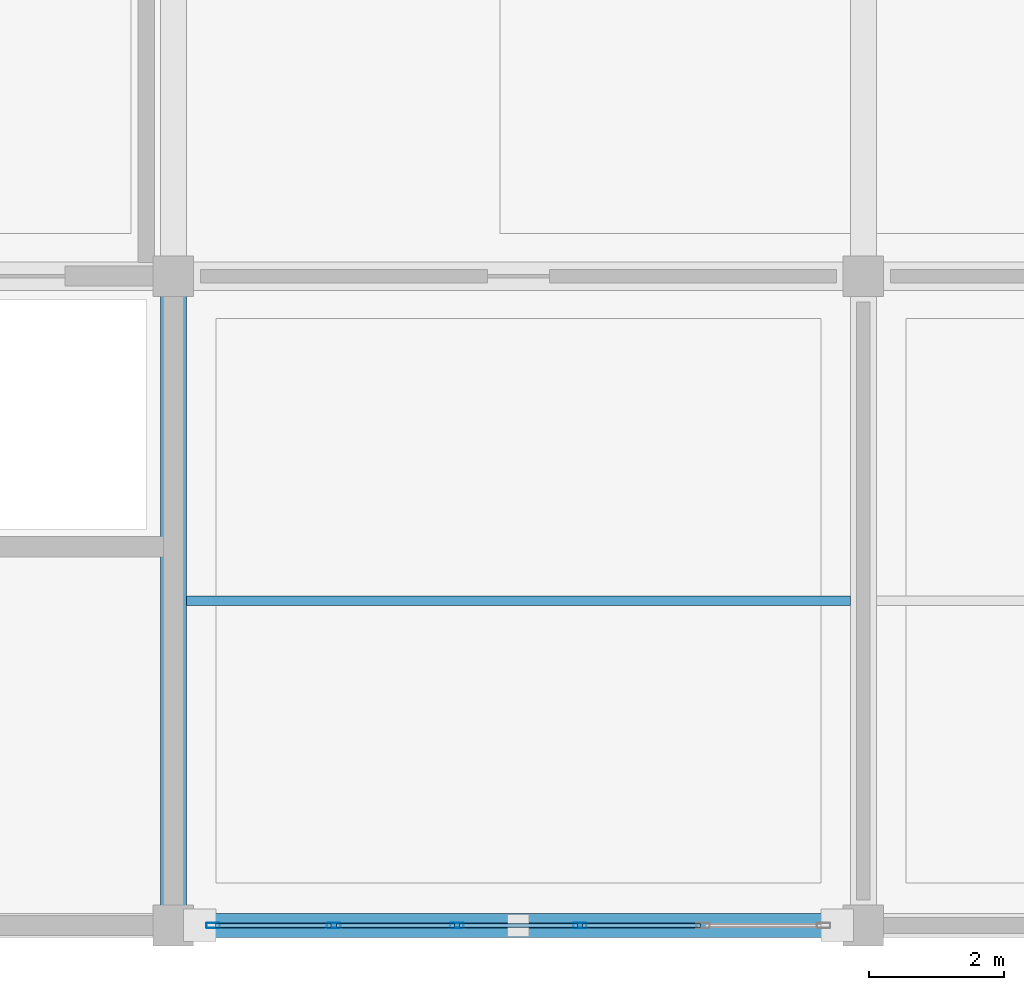
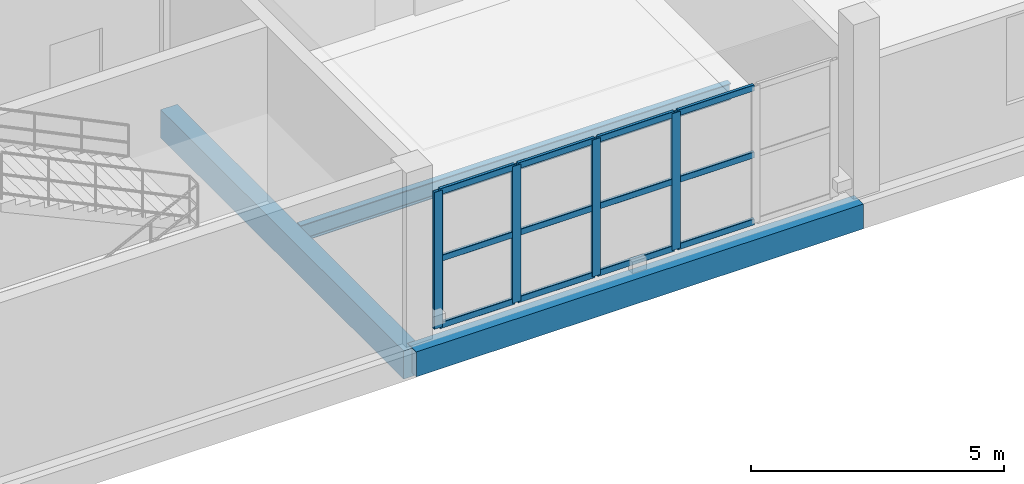
# One storey, part 6 of 24: 16 members, 3 beams, 1 element without a shape of its own.
"""IFC4 building model written with IfcOpenShell, lengths in metres."""

from ifc_helpers import new_model, si_unit, direction, frame, origin, origin_2d, place, context, subcontext, project, spatial, rectangle, hollow_rectangle, i_section, extrude, material, material_profile, profile_set, type_object, element, aggregate, save


model = new_model("IFC4")

# Units and contexts
model_context = context("Model", 3, precision=1e-05, world=origin(), true_north=direction((0.0, 1.0)))
body_context = subcontext(model_context, "Body", "Model", "MODEL_VIEW")
ifc_project = project(units=[si_unit("LENGTHUNIT", "METRE"), si_unit("AREAUNIT", "SQUARE_METRE"), si_unit("VOLUMEUNIT", "CUBIC_METRE"), si_unit("PLANEANGLEUNIT", "RADIAN"), si_unit("MASSUNIT", "GRAM", prefix="KILO")], contexts=[model_context])

# Site, building, storey
site_placement = place(None, origin())
site = spatial("IfcSite", under=ifc_project, at=site_placement, CompositionType="ELEMENT")
building_placement = place(site_placement, origin())
building = spatial("IfcBuilding", under=site, at=building_placement, Name="Brelvane Convention Centre", CompositionType="ELEMENT")
storey_placement = place(building_placement, frame((0.0, 0.0, 19.199951171875)))
storey = spatial("IfcBuildingStorey", under=building, at=storey_placement, Name="L04", CompositionType="ELEMENT", Elevation=19.199951171875)

# Curtain wall, members
ifc_material_1 = material(Name="Anodised Aluminium Alloy 6063-T6", Category="aluminium")
curtain_wall_type = type_object("IfcCurtainWallType", Name="Curtain Wall CW-COURT", PredefinedType="USERDEFINED", material=ifc_material_1)
curtain_wall_placement = place(storey_placement, origin())
curtain_wall = element("IfcCurtainWall", 1, at=curtain_wall_placement, inside=storey, type_object=curtain_wall_type, Name="Curtain Wall CW-COURT L04-V4S-05", ObjectType="UNITISED", PredefinedType="USERDEFINED")
ifc_material_2 = material(Name="Anodised Aluminium Alloy 6063-T6", Category="aluminium")
ifc_material_profile_1 = material_profile(ifc_material_2, hollow_rectangle(XDim=0.074951171875, YDim=0.199951171875, WallThickness=0.0048828125, InnerFilletRadius=0.0048828125, OuterFilletRadius=0.010009765625, at=origin_2d()), Name="ALU-M 200x75x5.0")
ifc_profile_set_1 = profile_set([ifc_material_profile_1], Name="Anodised Aluminium Alloy 6063-T6")
member_type_1 = type_object("IfcMemberType", Name="Curtain Mullion CW-M2", PredefinedType="MULLION", material=ifc_profile_set_1)
member_1_placement = place(storey_placement, frame((41.387451171875, 109.199951171875, 0.0), z_axis=(0.0, 0.0, 1.0), x_axis=(0.0, 1.0, 0.0)))
member_1 = element("IfcMember", 2, at=member_1_placement, type_object=member_type_1, Name="CW-COURT mullion 1", PredefinedType="MULLION", context=body_context, shape_type="SweptSolid", body=[
    extrude(hollow_rectangle(XDim=0.074951171875, YDim=0.199951171875, WallThickness=0.0048828125, InnerFilletRadius=0.0048828125, OuterFilletRadius=0.010009765625, at=origin_2d()), origin(), (0.0, 0.0, 1.0), 3.300048828125),
])
member_2_placement = place(storey_placement, frame((43.169921875, 109.199951171875, 0.0), z_axis=(0.0, 0.0, 1.0), x_axis=(0.0, 1.0, 0.0)))
member_2 = element("IfcMember", 3, at=member_2_placement, type_object=member_type_1, Name="CW-COURT mullion 2", PredefinedType="MULLION", context=body_context, shape_type="SweptSolid", body=[
    extrude(hollow_rectangle(XDim=0.074951171875, YDim=0.199951171875, WallThickness=0.0048828125, InnerFilletRadius=0.0048828125, OuterFilletRadius=0.010009765625, at=origin_2d()), origin(), (0.0, 0.0, 1.0), 3.300048828125),
])
member_3_placement = place(storey_placement, frame((44.989990234375, 109.199951171875, 0.0), z_axis=(0.0, 0.0, 1.0), x_axis=(0.0, 1.0, 0.0)))
member_3 = element("IfcMember", 4, at=member_3_placement, type_object=member_type_1, Name="CW-COURT mullion 3", PredefinedType="MULLION", context=body_context, shape_type="SweptSolid", body=[
    extrude(hollow_rectangle(XDim=0.074951171875, YDim=0.199951171875, WallThickness=0.0048828125, InnerFilletRadius=0.0048828125, OuterFilletRadius=0.010009765625, at=origin_2d()), origin(), (0.0, 0.0, 1.0), 3.300048828125),
])
member_4_placement = place(storey_placement, frame((46.81005859375, 109.199951171875, 0.0), z_axis=(0.0, 0.0, 1.0), x_axis=(0.0, 1.0, 0.0)))
member_4 = element("IfcMember", 5, at=member_4_placement, type_object=member_type_1, Name="CW-COURT mullion 4", PredefinedType="MULLION", context=body_context, shape_type="SweptSolid", body=[
    extrude(hollow_rectangle(XDim=0.074951171875, YDim=0.199951171875, WallThickness=0.0048828125, InnerFilletRadius=0.0048828125, OuterFilletRadius=0.010009765625, at=origin_2d()), origin(), (0.0, 0.0, 1.0), 3.300048828125),
])
ifc_material_3 = material(Name="Anodised Aluminium Alloy 6063-T6", Category="aluminium")
ifc_material_profile_2 = material_profile(ifc_material_3, hollow_rectangle(XDim=0.070068359375, YDim=0.14990234375, WallThickness=0.00439453125, InnerFilletRadius=0.00439453125, OuterFilletRadius=0.009033203125, at=origin_2d()), Name="ALU-T 150x70x4.5")
ifc_profile_set_2 = profile_set([ifc_material_profile_2], Name="Anodised Aluminium Alloy 6063-T6")
member_type_2 = type_object("IfcMemberType", Name="Curtain Transom CW-T2", PredefinedType="USERDEFINED", material=ifc_profile_set_2)
member_5_placement = place(storey_placement, frame((41.425048828125, 109.199951171875, 0.03515625), z_axis=(1.0, 0.0, 0.0), x_axis=(0.0, 1.0, 0.0)))
member_5 = element("IfcMember", 6, at=member_5_placement, type_object=member_type_2, Name="CW-COURT transom 1.1", ObjectType="TRANSOM", PredefinedType="USERDEFINED", context=body_context, shape_type="SweptSolid", body=[
    extrude(hollow_rectangle(XDim=0.070068359375, YDim=0.14990234375, WallThickness=0.00439453125, InnerFilletRadius=0.00439453125, OuterFilletRadius=0.009033203125, at=origin_2d()), origin(), (0.0, 0.0, 1.0), 1.70751953125),
])
member_6_placement = place(storey_placement, frame((41.425048828125, 109.199951171875, 1.650146484375), z_axis=(1.0, 0.0, 0.0), x_axis=(0.0, 1.0, 0.0)))
member_6 = element("IfcMember", 7, at=member_6_placement, type_object=member_type_2, Name="CW-COURT transom 1.2", ObjectType="TRANSOM", PredefinedType="USERDEFINED", context=body_context, shape_type="SweptSolid", body=[
    extrude(hollow_rectangle(XDim=0.070068359375, YDim=0.14990234375, WallThickness=0.00439453125, InnerFilletRadius=0.00439453125, OuterFilletRadius=0.009033203125, at=origin_2d()), origin(), (0.0, 0.0, 1.0), 1.70751953125),
])
member_7_placement = place(storey_placement, frame((41.425048828125, 109.199951171875, 3.26513671875), z_axis=(1.0, 0.0, 0.0), x_axis=(0.0, 1.0, 0.0)))
member_7 = element("IfcMember", 8, at=member_7_placement, type_object=member_type_2, Name="CW-COURT transom 1.3", ObjectType="TRANSOM", PredefinedType="USERDEFINED", context=body_context, shape_type="SweptSolid", body=[
    extrude(hollow_rectangle(XDim=0.070068359375, YDim=0.14990234375, WallThickness=0.00439453125, InnerFilletRadius=0.00439453125, OuterFilletRadius=0.009033203125, at=origin_2d()), origin(), (0.0, 0.0, 1.0), 1.70751953125),
])
member_8_placement = place(storey_placement, frame((43.20751953125, 109.199951171875, 0.03515625), z_axis=(1.0, 0.0, 0.0), x_axis=(0.0, 1.0, 0.0)))
member_8 = element("IfcMember", 9, at=member_8_placement, type_object=member_type_2, Name="CW-COURT transom 2.1", ObjectType="TRANSOM", PredefinedType="USERDEFINED", context=body_context, shape_type="SweptSolid", body=[
    extrude(hollow_rectangle(XDim=0.070068359375, YDim=0.14990234375, WallThickness=0.00439453125, InnerFilletRadius=0.00439453125, OuterFilletRadius=0.009033203125, at=origin_2d()), origin(), (0.0, 0.0, 1.0), 1.744873046875),
])
member_9_placement = place(storey_placement, frame((43.20751953125, 109.199951171875, 1.650146484375), z_axis=(1.0, 0.0, 0.0), x_axis=(0.0, 1.0, 0.0)))
member_9 = element("IfcMember", 10, at=member_9_placement, type_object=member_type_2, Name="CW-COURT transom 2.2", ObjectType="TRANSOM", PredefinedType="USERDEFINED", context=body_context, shape_type="SweptSolid", body=[
    extrude(hollow_rectangle(XDim=0.070068359375, YDim=0.14990234375, WallThickness=0.00439453125, InnerFilletRadius=0.00439453125, OuterFilletRadius=0.009033203125, at=origin_2d()), origin(), (0.0, 0.0, 1.0), 1.744873046875),
])
member_10_placement = place(storey_placement, frame((43.20751953125, 109.199951171875, 3.26513671875), z_axis=(1.0, 0.0, 0.0), x_axis=(0.0, 1.0, 0.0)))
member_10 = element("IfcMember", 11, at=member_10_placement, type_object=member_type_2, Name="CW-COURT transom 2.3", ObjectType="TRANSOM", PredefinedType="USERDEFINED", context=body_context, shape_type="SweptSolid", body=[
    extrude(hollow_rectangle(XDim=0.070068359375, YDim=0.14990234375, WallThickness=0.00439453125, InnerFilletRadius=0.00439453125, OuterFilletRadius=0.009033203125, at=origin_2d()), origin(), (0.0, 0.0, 1.0), 1.744873046875),
])
member_11_placement = place(storey_placement, frame((45.027587890625, 109.199951171875, 0.03515625), z_axis=(1.0, 0.0, 0.0), x_axis=(0.0, 1.0, 0.0)))
member_11 = element("IfcMember", 12, at=member_11_placement, type_object=member_type_2, Name="CW-COURT transom 3.1", ObjectType="TRANSOM", PredefinedType="USERDEFINED", context=body_context, shape_type="SweptSolid", body=[
    extrude(hollow_rectangle(XDim=0.070068359375, YDim=0.14990234375, WallThickness=0.00439453125, InnerFilletRadius=0.00439453125, OuterFilletRadius=0.009033203125, at=origin_2d()), origin(), (0.0, 0.0, 1.0), 1.744873046875),
])
member_12_placement = place(storey_placement, frame((45.027587890625, 109.199951171875, 1.650146484375), z_axis=(1.0, 0.0, 0.0), x_axis=(0.0, 1.0, 0.0)))
member_12 = element("IfcMember", 13, at=member_12_placement, type_object=member_type_2, Name="CW-COURT transom 3.2", ObjectType="TRANSOM", PredefinedType="USERDEFINED", context=body_context, shape_type="SweptSolid", body=[
    extrude(hollow_rectangle(XDim=0.070068359375, YDim=0.14990234375, WallThickness=0.00439453125, InnerFilletRadius=0.00439453125, OuterFilletRadius=0.009033203125, at=origin_2d()), origin(), (0.0, 0.0, 1.0), 1.744873046875),
])
member_13_placement = place(storey_placement, frame((45.027587890625, 109.199951171875, 3.26513671875), z_axis=(1.0, 0.0, 0.0), x_axis=(0.0, 1.0, 0.0)))
member_13 = element("IfcMember", 14, at=member_13_placement, type_object=member_type_2, Name="CW-COURT transom 3.3", ObjectType="TRANSOM", PredefinedType="USERDEFINED", context=body_context, shape_type="SweptSolid", body=[
    extrude(hollow_rectangle(XDim=0.070068359375, YDim=0.14990234375, WallThickness=0.00439453125, InnerFilletRadius=0.00439453125, OuterFilletRadius=0.009033203125, at=origin_2d()), origin(), (0.0, 0.0, 1.0), 1.744873046875),
])
member_14_placement = place(storey_placement, frame((46.847412109375, 109.199951171875, 0.03515625), z_axis=(1.0, 0.0, 0.0), x_axis=(0.0, 1.0, 0.0)))
member_14 = element("IfcMember", 15, at=member_14_placement, type_object=member_type_2, Name="CW-COURT transom 4.1", ObjectType="TRANSOM", PredefinedType="USERDEFINED", context=body_context, shape_type="SweptSolid", body=[
    extrude(hollow_rectangle(XDim=0.070068359375, YDim=0.14990234375, WallThickness=0.00439453125, InnerFilletRadius=0.00439453125, OuterFilletRadius=0.009033203125, at=origin_2d()), origin(), (0.0, 0.0, 1.0), 1.7451171875),
])
member_15_placement = place(storey_placement, frame((46.847412109375, 109.199951171875, 1.650146484375), z_axis=(1.0, 0.0, 0.0), x_axis=(0.0, 1.0, 0.0)))
member_15 = element("IfcMember", 16, at=member_15_placement, type_object=member_type_2, Name="CW-COURT transom 4.2", ObjectType="TRANSOM", PredefinedType="USERDEFINED", context=body_context, shape_type="SweptSolid", body=[
    extrude(hollow_rectangle(XDim=0.070068359375, YDim=0.14990234375, WallThickness=0.00439453125, InnerFilletRadius=0.00439453125, OuterFilletRadius=0.009033203125, at=origin_2d()), origin(), (0.0, 0.0, 1.0), 1.7451171875),
])
member_16_placement = place(storey_placement, frame((46.847412109375, 109.199951171875, 3.26513671875), z_axis=(1.0, 0.0, 0.0), x_axis=(0.0, 1.0, 0.0)))
member_16 = element("IfcMember", 17, at=member_16_placement, type_object=member_type_2, Name="CW-COURT transom 4.3", ObjectType="TRANSOM", PredefinedType="USERDEFINED", context=body_context, shape_type="SweptSolid", body=[
    extrude(hollow_rectangle(XDim=0.070068359375, YDim=0.14990234375, WallThickness=0.00439453125, InnerFilletRadius=0.00439453125, OuterFilletRadius=0.009033203125, at=origin_2d()), origin(), (0.0, 0.0, 1.0), 1.7451171875),
])
aggregate(curtain_wall, [member_1, member_2, member_3, member_4, member_5, member_6, member_7, member_8, member_9, member_10, member_11, member_12, member_13, member_14, member_15, member_16])

# Beams
ifc_material_4 = material(Name="Concrete M40", Category="concrete")
ifc_material_profile_3 = material_profile(ifc_material_4, rectangle(XDim=0.3798828125, YDim=0.679931640625, at=origin_2d()), Name="RC 380x680")
ifc_profile_set_3 = profile_set([ifc_material_profile_3], Name="Concrete M40")
beam_type_1 = type_object("IfcBeamType", Name="RC Beam B-RC14 (RC 380x680)", PredefinedType="BEAM", material=ifc_profile_set_3)
beam_1_placement = place(storey_placement, frame((40.800048828125, 109.199951171875, -0.64501953125), z_axis=(0.0, 1.0, 0.0), x_axis=(-1.0, 0.0, 0.0)))
element("IfcBeam", 18, at=beam_1_placement, inside=storey, type_object=beam_type_1, Name="L04 Girder 5/L-M", PredefinedType="BEAM", context=body_context, shape_type="SweptSolid", body=[
    extrude(rectangle(XDim=0.3798828125, YDim=0.679931640625, at=origin_2d()), origin(), (0.0, 0.0, 1.0), 9.60009765625),
])
ifc_material_5 = material(Name="Concrete M40", Category="concrete")
ifc_material_profile_4 = material_profile(ifc_material_5, rectangle(XDim=0.35009765625, YDim=0.60009765625, at=origin_2d()), Name="RC 350x600")
ifc_profile_set_4 = profile_set([ifc_material_profile_4], Name="Concrete M40")
beam_type_2 = type_object("IfcBeamType", Name="RC Spandrel SP-RC2 (RC 350x600)", PredefinedType="SPANDREL", material=ifc_profile_set_4)
beam_2_placement = place(storey_placement, frame((40.800048828125, 109.199951171875, -0.58984375), z_axis=(1.0, 0.0, 0.0), x_axis=(0.0, 1.0, 0.0)))
element("IfcBeam", 19, at=beam_2_placement, inside=storey, type_object=beam_type_2, Name="L04 Beam 5-6/L", PredefinedType="SPANDREL", context=body_context, shape_type="SweptSolid", body=[
    extrude(rectangle(XDim=0.35009765625, YDim=0.60009765625, at=origin_2d()), origin(), (0.0, 0.0, 1.0), 10.199951171875),
])
ifc_material_6 = material(Name="Steel E350 (350 MPa)", Category="steel")
ifc_material_profile_5 = material_profile(ifc_material_6, i_section(OverallWidth=0.139892578125, OverallDepth=0.39990234375, WebThickness=0.0087890625, FlangeThickness=0.01611328125, FilletRadius=0.013916015625, at=origin_2d()), Name="ISMB 400")
ifc_profile_set_5 = profile_set([ifc_material_profile_5], Name="Steel E350 (350 MPa)")
beam_type_3 = type_object("IfcBeamType", Name="Steel Joist J-ST1 (ISMB 400)", PredefinedType="JOIST", material=ifc_profile_set_5)
beam_3_placement = place(storey_placement, frame((40.989990234375, 114.0, -0.489990234375), z_axis=(1.0, 0.0, 0.0), x_axis=(0.0, 1.0, 0.0)))
element("IfcBeam", 20, at=beam_3_placement, inside=storey, type_object=beam_type_3, Name="L04 Secondary Joist 5-6/LM", PredefinedType="JOIST", context=body_context, shape_type="SweptSolid", body=[
    extrude(i_section(OverallWidth=0.139892578125, OverallDepth=0.39990234375, WebThickness=0.0087890625, FlangeThickness=0.01611328125, FilletRadius=0.013916015625, at=origin_2d()), origin(), (0.0, 0.0, 1.0), 9.820068359375),
])

save(model, "model.ifc")
